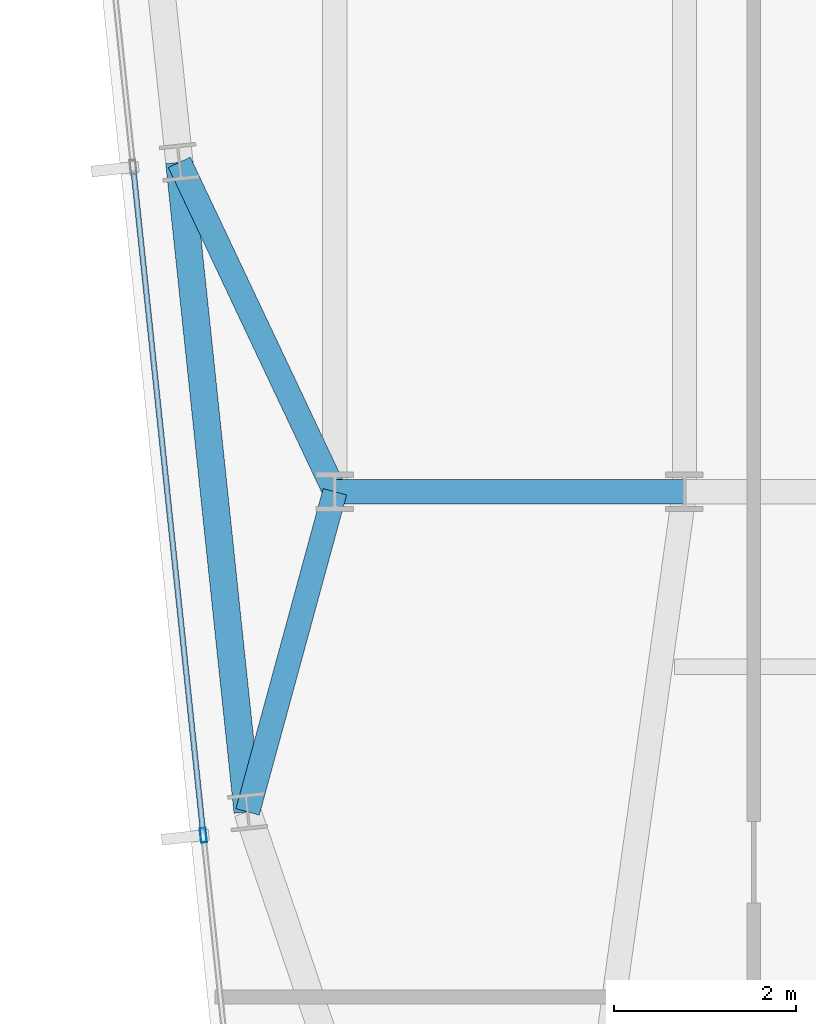
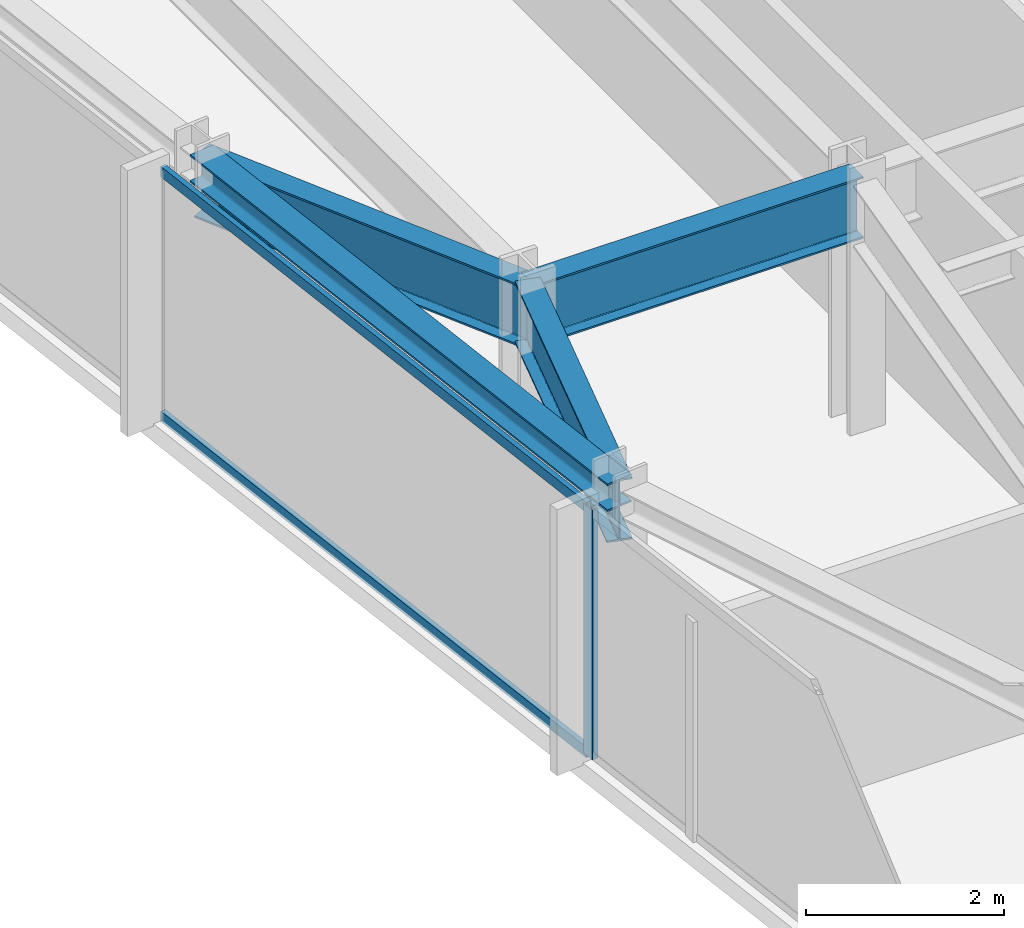
# One storey, part 5 of 32: 4 beams, 3 members, 1 element without a shape of its own.
"""IFC4 building model written with IfcOpenShell, lengths in metres."""

from ifc_helpers import new_model, si_unit, direction, frame, origin, origin_2d, place, context, subcontext, project, spatial, hollow_rectangle, i_section, extrude, material, material_profile, profile_set, type_object, element, aggregate, save


model = new_model("IFC4")

# Units and contexts
model_context = context("Model", 3, precision=1e-05, world=origin(), true_north=direction((0.0, 1.0)))
body_context = subcontext(model_context, "Body", "Model", "MODEL_VIEW")
ifc_project = project(units=[si_unit("LENGTHUNIT", "METRE"), si_unit("AREAUNIT", "SQUARE_METRE"), si_unit("VOLUMEUNIT", "CUBIC_METRE"), si_unit("PLANEANGLEUNIT", "RADIAN"), si_unit("MASSUNIT", "GRAM", prefix="KILO")], contexts=[model_context])

# Site, building, storey
site_placement = place(None, origin())
site = spatial("IfcSite", under=ifc_project, at=site_placement, CompositionType="ELEMENT")
building_placement = place(site_placement, origin())
building = spatial("IfcBuilding", under=site, at=building_placement, Name="Yelkora Congress Tower", CompositionType="ELEMENT")
storey_placement = place(building_placement, frame((0.0, 0.0, 217.699951171875)))
storey = spatial("IfcBuildingStorey", under=building, at=storey_placement, Name="L60", CompositionType="ELEMENT", Elevation=217.699951171875)

# Beams
ifc_material_1 = material(Name="Steel S355J2", Category="steel")
ifc_material_profile_1 = material_profile(ifc_material_1, i_section(OverallWidth=0.26708984375, OverallDepth=0.761962890625, WebThickness=0.014404296875, FlangeThickness=0.021484375, FilletRadius=0.01708984375, at=origin_2d()), Name="IPE 750x173")
ifc_profile_set_1 = profile_set([ifc_material_profile_1], Name="Steel S355J2")
beam_type_1 = type_object("IfcBeamType", Name="BM-GIRD-IPE750", PredefinedType="BEAM", material=ifc_profile_set_1)
beam_1_placement = place(storey_placement, frame((19.199951171875, 25.199951171875, 2.698974609375), z_axis=(1.0, 0.0, 0.0), x_axis=(0.0, 1.0, 0.0)))
element("IfcBeam", 1, at=beam_1_placement, inside=storey, type_object=beam_type_1, Name="L60 Spine Grid D Girder 1", PredefinedType="BEAM", context=body_context, shape_type="SweptSolid", body=[
    extrude(i_section(OverallWidth=0.26708984375, OverallDepth=0.761962890625, WebThickness=0.014404296875, FlangeThickness=0.021484375, FilletRadius=0.01708984375, at=origin_2d()), origin(), (0.0, 0.0, 1.0), 3.840087890625),
])
beam_2_placement = place(storey_placement, frame((18.2412109375, 21.68310546875, 2.698974609375), z_axis=(0.263015394472, 0.964791636713, 0.0), x_axis=(-0.964791636713, 0.263015394472, 0.0)))
element("IfcBeam", 2, at=beam_2_placement, inside=storey, type_object=beam_type_1, Name="L60 Primary Frame Girder W01", PredefinedType="BEAM", context=body_context, shape_type="SweptSolid", body=[
    extrude(i_section(OverallWidth=0.26708984375, OverallDepth=0.761962890625, WebThickness=0.014404296875, FlangeThickness=0.021484375, FilletRadius=0.01708984375, at=origin_2d()), origin(), (0.0, 0.0, 1.0), 3.645263671875),
])
beam_3_placement = place(storey_placement, frame((17.4912109375, 28.81884765625, 2.698974609375), z_axis=(0.426968894221, -0.904266312193, 0.0), x_axis=(0.904266312193, 0.426968894221, 0.0)))
element("IfcBeam", 3, at=beam_3_placement, inside=storey, type_object=beam_type_1, Name="L60 Primary Frame Girder W02", PredefinedType="BEAM", context=body_context, shape_type="SweptSolid", body=[
    extrude(i_section(OverallWidth=0.26708984375, OverallDepth=0.761962890625, WebThickness=0.014404296875, FlangeThickness=0.021484375, FilletRadius=0.01708984375, at=origin_2d()), origin(), (0.0, 0.0, 1.0), 4.001953125),
])
ifc_material_profile_2 = material_profile(ifc_material_1, i_section(OverallWidth=0.300048828125, OverallDepth=0.340087890625, WebThickness=0.011962890625, FlangeThickness=0.021484375, FilletRadius=0.027099609375, at=origin_2d()), Name="HEB 340")
ifc_profile_set_2 = profile_set([ifc_material_profile_2], Name="Steel S355J2")
beam_type_2 = type_object("IfcBeamType", Name="BM-SPAN-HEB340", PredefinedType="SPANDREL", material=ifc_profile_set_2)
beam_4_placement = place(storey_placement, frame((17.4912109375, 28.81884765625, 2.91015625), z_axis=(0.104528914631, -0.994521847928, 0.0), x_axis=(0.994521847928, 0.104528914631, 0.0)))
element("IfcBeam", 4, at=beam_4_placement, inside=storey, type_object=beam_type_2, Name="L60 Perimeter Beam 1", PredefinedType="SPANDREL", context=body_context, shape_type="SweptSolid", body=[
    extrude(i_section(OverallWidth=0.300048828125, OverallDepth=0.340087890625, WebThickness=0.011962890625, FlangeThickness=0.021484375, FilletRadius=0.027099609375, at=origin_2d()), origin(), (0.0, 0.0, 1.0), 7.175048828125),
])

# Curtain wall, members
ifc_material_2 = material(Name="Anodised aluminium and insulated glass", Category="aluminium")
curtain_wall_type = type_object("IfcCurtainWallType", Name="CW-SYS-B4", PredefinedType="NOTDEFINED", material=ifc_material_2)
curtain_wall_placement = place(storey_placement, origin())
curtain_wall = element("IfcCurtainWall", 5, at=curtain_wall_placement, inside=storey, type_object=curtain_wall_type, Name="L60 Unitised Curtain Wall 5", PredefinedType="NOTDEFINED")
ifc_material_3 = material(Name="Anodised aluminium 6063-T6", Category="aluminium")
ifc_material_profile_3 = material_profile(ifc_material_3, hollow_rectangle(XDim=0.06494140625, YDim=0.159912109375, WallThickness=0.00390625, at=origin_2d()), Name="ALU 65x160x4")
ifc_profile_set_3 = profile_set([ifc_material_profile_3], Name="Anodised aluminium 6063-T6")
member_type_1 = type_object("IfcMemberType", Name="MEM-ML-B4", PredefinedType="MULLION", material=ifc_profile_set_3)
member_1_placement = place(storey_placement, frame((17.75537109375, 21.426025390625, 0.0), z_axis=(0.0, 0.0, 1.0), x_axis=(-0.994522145958, -0.104526079034, 0.0)))
member_1 = element("IfcMember", 6, at=member_1_placement, type_object=member_type_1, Name="CW-B4 mullion 2", PredefinedType="MULLION", context=body_context, shape_type="SweptSolid", body=[
    extrude(hollow_rectangle(XDim=0.06494140625, YDim=0.159912109375, WallThickness=0.00390625, at=origin_2d()), origin(), (0.0, 0.0, 1.0), 3.080078125),
])
ifc_material_profile_4 = material_profile(ifc_material_3, hollow_rectangle(XDim=0.06005859375, YDim=0.1298828125, WallThickness=0.00390625, at=origin_2d()), Name="ALU 60x130x4")
ifc_profile_set_4 = profile_set([ifc_material_profile_4], Name="Anodised aluminium 6063-T6")
member_type_2 = type_object("IfcMemberType", Name="MEM-TR-B4", PredefinedType="USERDEFINED", material=ifc_profile_set_4)
member_2_placement = place(storey_placement, frame((17.751953125, 21.458251953125, 0.030029296875), z_axis=(-0.104528426736, 0.994521899208, 0.0), x_axis=(-0.994521899208, -0.104528426736, 0.0)))
member_2 = element("IfcMember", 7, at=member_2_placement, type_object=member_type_2, Name="CW-B4 transom 2.1", ObjectType="TRANSOM", PredefinedType="USERDEFINED", context=body_context, shape_type="SweptSolid", body=[
    extrude(hollow_rectangle(XDim=0.06005859375, YDim=0.1298828125, WallThickness=0.00390625, at=origin_2d()), origin(), (0.0, 0.0, 1.0), 7.315185546875),
])
member_3_placement = place(storey_placement, frame((17.751953125, 21.458251953125, 3.050048828125), z_axis=(-0.104528426736, 0.994521899208, 0.0), x_axis=(-0.994521899208, -0.104528426736, 0.0)))
member_3 = element("IfcMember", 8, at=member_3_placement, type_object=member_type_2, Name="CW-B4 transom 2.2", ObjectType="TRANSOM", PredefinedType="USERDEFINED", context=body_context, shape_type="SweptSolid", body=[
    extrude(hollow_rectangle(XDim=0.06005859375, YDim=0.1298828125, WallThickness=0.00390625, at=origin_2d()), origin(), (0.0, 0.0, 1.0), 7.315185546875),
])
aggregate(curtain_wall, [member_1, member_2, member_3])

save(model, "model.ifc")
